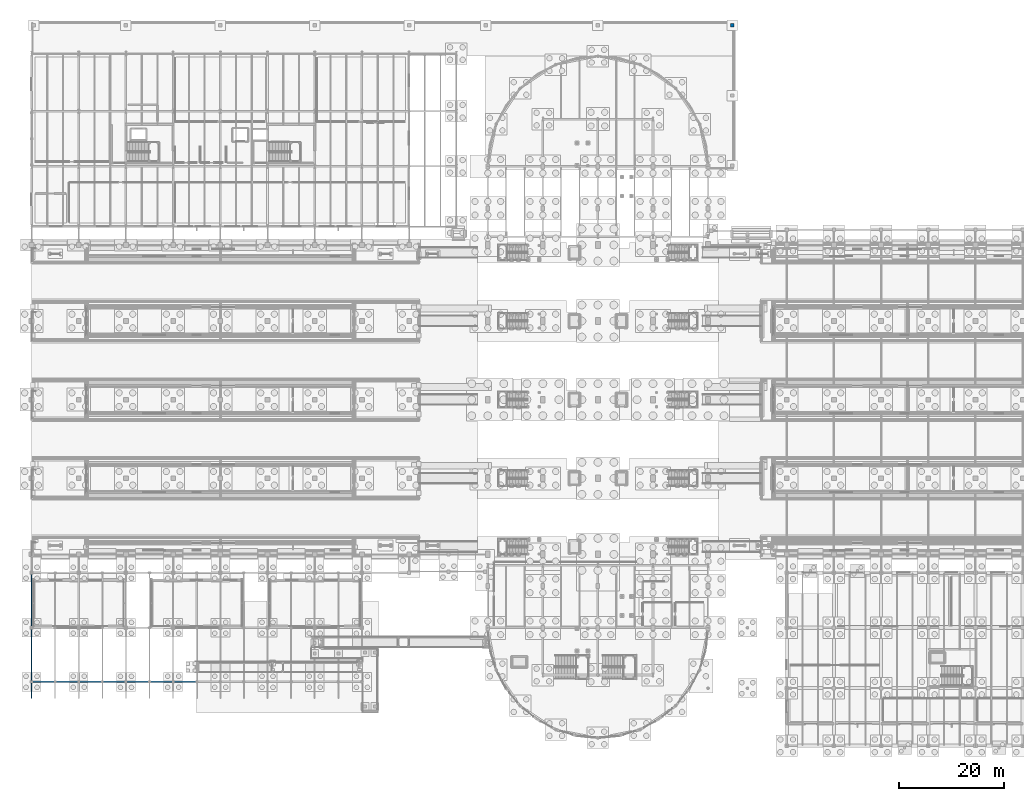
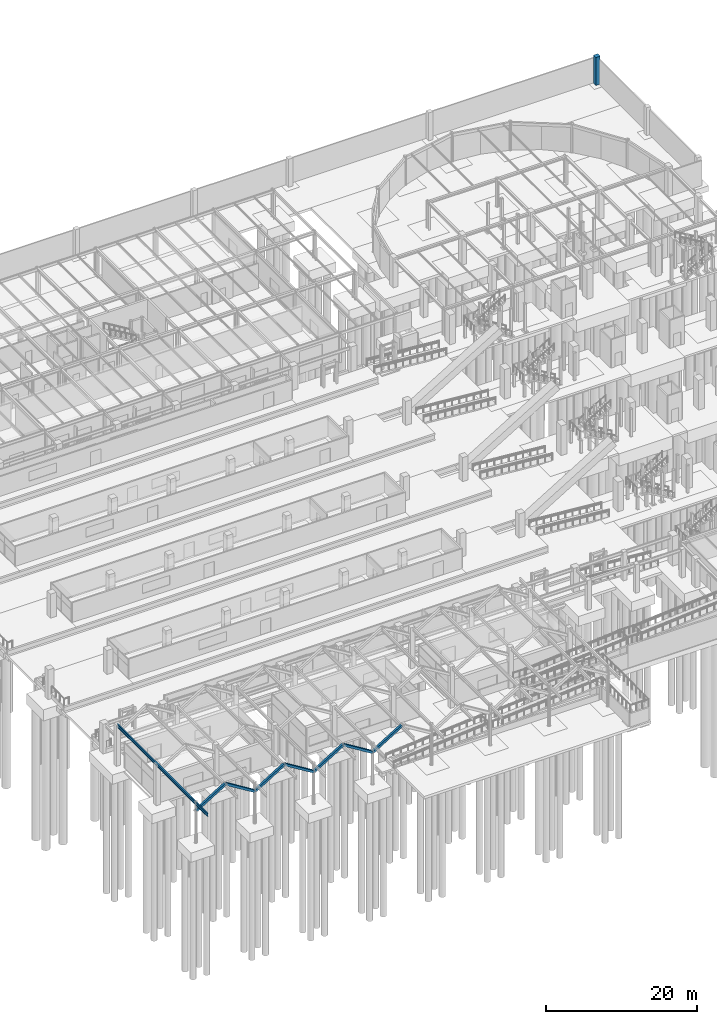
# One storey, part 39 of 160: 7 members, 1 beam, 1 column.
"""IFC4 building model written with IfcOpenShell, lengths in metres."""

from ifc_helpers import new_model, si_unit, direction, frame, origin, origin_2d, place, context, subcontext, project, spatial, rectangle, hollow_rectangle, i_section, extrude, material, material_profile, profile_set, type_object, element, save


model = new_model("IFC4")

# Units and contexts
model_context = context("Model", 3, precision=1e-05, world=origin(), true_north=direction((0.0, 1.0)))
body_context = subcontext(model_context, "Body", "Model", "MODEL_VIEW")
ifc_project = project(units=[si_unit("LENGTHUNIT", "METRE"), si_unit("AREAUNIT", "SQUARE_METRE"), si_unit("VOLUMEUNIT", "CUBIC_METRE"), si_unit("PLANEANGLEUNIT", "RADIAN"), si_unit("MASSUNIT", "GRAM", prefix="KILO")], contexts=[model_context])

# Site, building, storey
site_placement = place(None, origin())
site = spatial("IfcSite", under=ifc_project, at=site_placement, CompositionType="ELEMENT")
building_placement = place(site_placement, origin())
building = spatial("IfcBuilding", under=site, at=building_placement, Name="Marlcrest Central Station", CompositionType="ELEMENT")
storey_placement = place(building_placement, origin())
storey = spatial("IfcBuildingStorey", under=building, at=storey_placement, Name="L00", CompositionType="ELEMENT", Elevation=0.0)

# Column
ifc_material_1 = material(Name="Concrete C50/60", Category="concrete")
ifc_material_profile_1 = material_profile(ifc_material_1, rectangle(XDim=0.64990234375, YDim=0.64990234375, at=origin_2d()), Name="RC 650x650")
ifc_profile_set_1 = profile_set([ifc_material_profile_1], Name="Concrete C50/60")
column_type = type_object("IfcColumnType", Name="RC-05", PredefinedType="COLUMN", material=ifc_profile_set_1)
column_placement = place(storey_placement, frame((133.60009765625, 137.39990234375, 0.0), z_axis=(0.0, 0.0, 1.0), x_axis=(1.0, 0.0, 0.0)))
element("IfcColumn", 1, at=column_placement, inside=storey, type_object=column_type, Name="col-RC-05-L00-0393", PredefinedType="COLUMN", context=body_context, shape_type="SweptSolid", body=[
    extrude(rectangle(XDim=0.64990234375, YDim=0.64990234375, at=origin_2d()), origin(), (0.0, 0.0, 1.0), 4.52490234375),
])

# Beam
ifc_material_2 = material(Name="Steel S355", Category="steel")
ifc_material_profile_2 = material_profile(ifc_material_2, i_section(OverallWidth=0.199951171875, OverallDepth=0.5, WebThickness=0.01025390625, FlangeThickness=0.01611328125, FilletRadius=0.02099609375, at=origin_2d()), Name="IPE 500")
ifc_profile_set_2 = profile_set([ifc_material_profile_2], Name="Steel S355")
beam_type = type_object("IfcBeamType", Name="BM-05", PredefinedType="BEAM", material=ifc_profile_set_2)
beam_placement = place(storey_placement, frame((0.0, 9.0, 6.389892578125), z_axis=(0.0, 1.0, 0.0), x_axis=(-1.0, 0.0, 0.0)))
element("IfcBeam", 2, at=beam_placement, inside=storey, type_object=beam_type, Name="bm-BM-05-L00-01038", PredefinedType="BEAM", context=body_context, shape_type="SweptSolid", body=[
    extrude(i_section(OverallWidth=0.199951171875, OverallDepth=0.5, WebThickness=0.01025390625, FlangeThickness=0.01611328125, FilletRadius=0.02099609375, at=origin_2d()), origin(), (0.0, 0.0, 1.0), 24.0),
])

# Members
ifc_material_profile_3 = material_profile(ifc_material_2, hollow_rectangle(XDim=0.35009765625, YDim=0.35009765625, WallThickness=0.01611328125, at=origin_2d()), Name="SHS 350x350x16")
ifc_profile_set_3 = profile_set([ifc_material_profile_3], Name="Steel S355")
member_type = type_object("IfcMemberType", Name="ST-02", PredefinedType="STRUT", material=ifc_profile_set_3)
for number, where, z_axis, x_axis, name in (
    (3, (0.0, 12.199951171875, 5.199951171875), (0.851591684043, 0.0, 0.524205688322), (0.0, 1.0, 0.0), "mem-ST-02-L00-00019"),
    (4, (9.0, 12.199951171875, 5.199951171875), (-0.851591684043, 0.0, 0.524205688322), (0.0, -1.0, 0.0), "mem-ST-02-L00-00020"),
    (5, (9.0, 12.199951171875, 5.199951171875), (0.851591684043, 0.0, 0.524205688322), (0.0, 1.0, 0.0), "mem-ST-02-L00-00025"),
    (6, (18.0, 12.199951171875, 5.199951171875), (-0.851591684043, 0.0, 0.524205688322), (0.0, -1.0, 0.0), "mem-ST-02-L00-00026"),
    (7, (18.0, 12.199951171875, 5.199951171875), (0.851591684043, 0.0, 0.524205688322), (0.0, 1.0, 0.0), "mem-ST-02-L00-00031"),
    (8, (27.0, 12.199951171875, 5.199951171875), (-0.851591684043, 0.0, 0.524205688322), (0.0, -1.0, 0.0), "mem-ST-02-L00-00032"),
    (9, (27.0, 12.199951171875, 5.199951171875), (0.851591684043, 0.0, 0.524205688322), (0.0, 1.0, 0.0), "mem-ST-02-L00-00037"),
):
    element("IfcMember", number, at=place(storey_placement, frame(where, z_axis=z_axis, x_axis=x_axis)), inside=storey, type_object=member_type, Name=name, PredefinedType="STRUT", context=body_context, shape_type="SweptSolid", body=[
        extrude(hollow_rectangle(XDim=0.35009765625, YDim=0.35009765625, WallThickness=0.01611328125, at=origin_2d()), origin(), (0.0, 0.0, 1.0), 5.2841796875),
    ])

save(model, "model.ifc")
